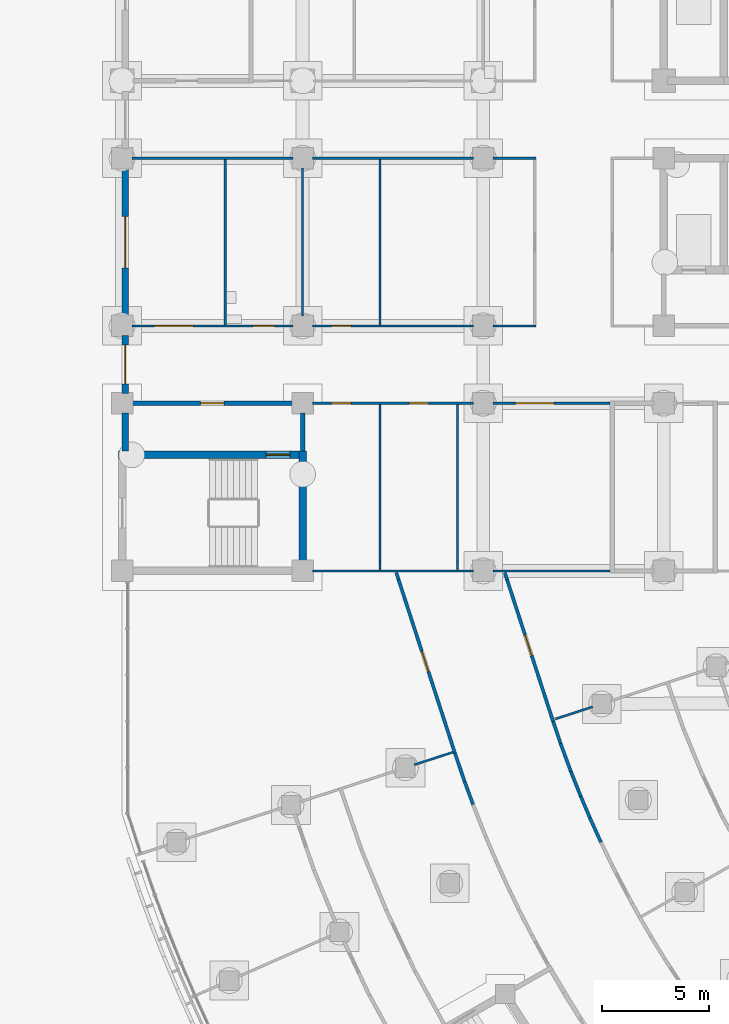
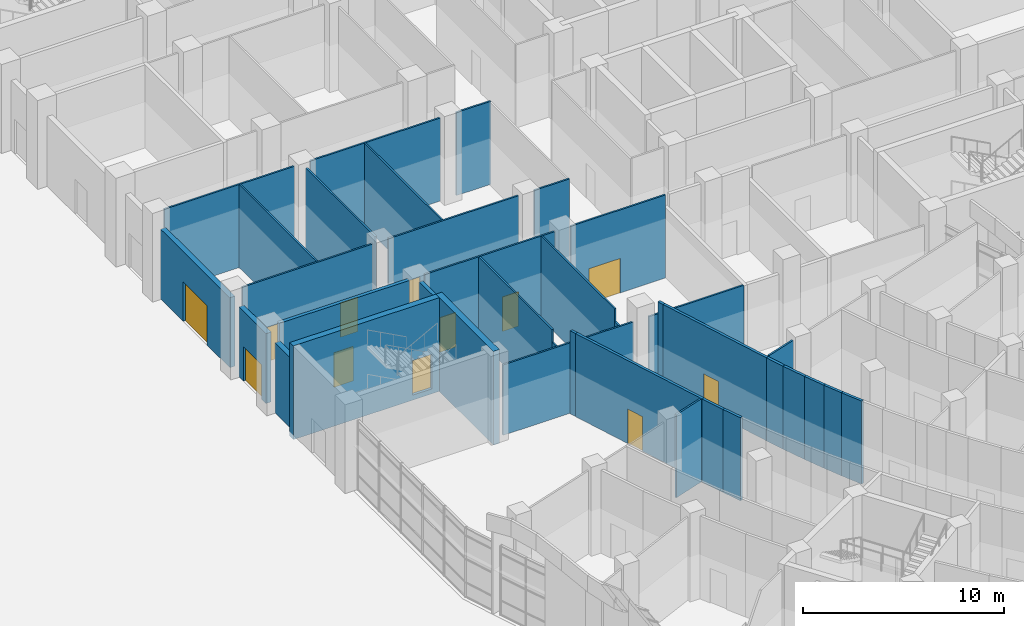
# One storey, part 65 of 146: 37 walls, 12 doors, 12 openings.
"""IFC4 building model written with IfcOpenShell, lengths in metres."""

from ifc_helpers import new_model, si_unit, direction, frame, frame_2d, origin, place, context, subcontext, project, spatial, rectangle, extrude, material, layer, layer_set, type_object, element, fill, save


model = new_model("IFC4")

# Units and contexts
model_context = context("Model", 3, precision=1e-05, world=origin(), true_north=direction((0.0, 1.0)))
body_context = subcontext(model_context, "Body", "Model", "MODEL_VIEW")
ifc_project = project(units=[si_unit("LENGTHUNIT", "METRE"), si_unit("AREAUNIT", "SQUARE_METRE"), si_unit("VOLUMEUNIT", "CUBIC_METRE"), si_unit("PLANEANGLEUNIT", "RADIAN"), si_unit("MASSUNIT", "GRAM", prefix="KILO")], contexts=[model_context])

# Site, building, storey
site_placement = place(None, origin())
site = spatial("IfcSite", under=ifc_project, at=site_placement, CompositionType="ELEMENT")
building_placement = place(site_placement, origin())
building = spatial("IfcBuilding", under=site, at=building_placement, Name="Bougainvillea Quay General Hospital", CompositionType="ELEMENT")
storey_placement = place(building_placement, origin())
storey = spatial("IfcBuildingStorey", under=building, at=storey_placement, Name="L00", CompositionType="ELEMENT", Elevation=0.0)

# Wall, opening, door
ifc_material_1 = material(Name="Pale stone rainscreen cladding on insulated masonry backing, pale stone", Category="masonry")
ifc_layer_1 = layer(ifc_material_1, 0.300048828125)
ifc_layer_set_1 = layer_set([ifc_layer_1], Name="Pale stone rainscreen cladding on insulated masonry backing, pale stone")
wall_type_1 = type_object("IfcWallType", Name="External wall pale stone rainscreen 300", PredefinedType="STANDARD", material=ifc_layer_set_1)
wall_1_placement = place(storey_placement, frame((42.14990234375, 136.35009765625, 0.0), z_axis=(0.0, 0.0, 1.0), x_axis=(0.0, -1.0, 0.0)))
wall_1 = element("IfcWall", 1, at=wall_1_placement, inside=storey, type_object=wall_type_1, Name="External wall wall/V4/L00/p0/02e", PredefinedType="STANDARD", context=body_context, shape_type="SweptSolid", body=[
    extrude(rectangle(XDim=6.900146484375, YDim=0.300048828125, at=frame_2d((3.4501953125, 0.0))), origin(), (0.0, 0.0, 1.0), 4.25),
])
opening_1_placement = place(wall_1_placement, frame((2.25, 0.0, 0.0)))
opening_1 = element("IfcOpeningElement", 2, at=opening_1_placement, cuts=wall_1, Name="Opening L00.358", PredefinedType="OPENING", context=body_context, shape_type="SweptSolid", body=[
    extrude(rectangle(XDim=2.39990234375, YDim=2.39990234375, at=frame_2d((1.199951171875, 1.199951171875))), frame((0.0, 0.159912109375, 0.0), z_axis=(0.0, -1.0, 0.0), x_axis=(1.0, 0.0, 0.0)), (0.0, 0.0, 1.0), 0.320068359375),
])
ifc_material_2 = material(Name="Aluminium and toughened glass sliding door set, anodised", Category="aluminium")
door_type_1 = type_object("IfcDoorType", Name="Automatic sliding entrance door 2400x2400", OperationType="SLIDING_TO_LEFT", PredefinedType="DOOR", material=ifc_material_2)
door_1_placement = place(opening_1_placement, frame((2.39990234375, 0.0, 0.0), z_axis=(0.0, 0.0, 1.0), x_axis=(-1.0, 0.0, 0.0)))
door_1 = element("IfcDoor", 3, at=door_1_placement, inside=storey, type_object=door_type_1, Name="Diagnostic entrance", OperationType="SINGLE_SWING_LEFT", OverallHeight=2.39990234375, OverallWidth=2.39990234375, PredefinedType="DOOR", context=body_context, shape_type="SweptSolid", body=[
    extrude(rectangle(XDim=2.39990234375, YDim=2.39990234375, at=frame_2d((1.199951171875, 1.199951171875))), frame((0.0, 0.02490234375, 0.0), z_axis=(0.0, -1.0, 0.0), x_axis=(1.0, 0.0, 0.0)), (0.0, 0.0, 1.0), 0.050048828125),
])
fill(opening_1, door_1)

wall_2_placement = place(storey_placement, frame((42.14990234375, 128.550048828125, 0.0), z_axis=(0.0, 0.0, 1.0), x_axis=(0.0, -1.0, 0.0)))
wall_2 = element("IfcWall", 4, at=wall_2_placement, inside=storey, type_object=wall_type_1, Name="External wall wall/V4/L00/p0/02f", PredefinedType="STANDARD", context=body_context, shape_type="SweptSolid", body=[
    extrude(rectangle(XDim=2.699951171875, YDim=0.300048828125, at=frame_2d((1.35009765625, 0.0))), origin(), (0.0, 0.0, 1.0), 4.25),
])
opening_2_placement = place(wall_2_placement, frame((0.449951171875, 0.0, 0.0)))
opening_2 = element("IfcOpeningElement", 5, at=opening_2_placement, cuts=wall_2, Name="Opening L00.327", PredefinedType="OPENING", context=body_context, shape_type="SweptSolid", body=[
    extrude(rectangle(XDim=1.800048828125, YDim=2.10009765625, at=frame_2d((0.89990234375, 1.050048828125))), frame((0.0, 0.159912109375, 0.0), z_axis=(0.0, -1.0, 0.0), x_axis=(1.0, 0.0, 0.0)), (0.0, 0.0, 1.0), 0.320068359375),
])
ifc_material_3 = material(Name="Steel door set, painted, with vision panels", Category="steel")
door_type_2 = type_object("IfcDoorType", Name="Escape door 1800x2100", OperationType="DOUBLE_DOOR_SINGLE_SWING", PredefinedType="DOOR", material=ifc_material_3)
door_2_placement = place(opening_2_placement, frame((1.800048828125, 0.0, 0.0), z_axis=(0.0, 0.0, 1.0), x_axis=(-1.0, 0.0, 0.0)))
door_2 = element("IfcDoor", 6, at=door_2_placement, inside=storey, type_object=door_type_2, Name="Escape door 3", OperationType="SINGLE_SWING_LEFT", OverallHeight=2.10009765625, OverallWidth=1.800048828125, PredefinedType="DOOR", context=body_context, shape_type="SweptSolid", body=[
    extrude(rectangle(XDim=1.800048828125, YDim=2.10009765625, at=frame_2d((0.89990234375, 1.050048828125))), frame((0.0, 0.02490234375, 0.0), z_axis=(0.0, -1.0, 0.0), x_axis=(1.0, 0.0, 0.0)), (0.0, 0.0, 1.0), 0.050048828125),
])
fill(opening_2, door_2)

# Walls
ifc_material_4 = material(Name="Terracotta rainscreen cladding on insulated masonry backing, terracotta", Category="masonry")
ifc_layer_2 = layer(ifc_material_4, 0.300048828125)
ifc_layer_set_2 = layer_set([ifc_layer_2], Name="Terracotta rainscreen cladding on insulated masonry backing, terracotta")
wall_type_2 = type_object("IfcWallType", Name="External wall terracotta rainscreen 300", PredefinedType="STANDARD", material=ifc_layer_set_2)
wall_3_placement = place(storey_placement, frame((42.14990234375, 124.949951171875, 0.0), z_axis=(0.0, 0.0, 1.0), x_axis=(0.0, -1.0, 0.0)))
element("IfcWall", 7, at=wall_3_placement, inside=storey, type_object=wall_type_2, Name="External wall wall/V4/L00/p0/02g", PredefinedType="STANDARD", context=body_context, shape_type="SweptSolid", body=[
    extrude(rectangle(XDim=1.77490234375, YDim=0.300048828125, at=frame_2d((0.887451171875, 0.0))), origin(), (0.0, 0.0, 1.0), 4.25),
])
ifc_material_5 = material(Name="Gypsum board partition on steel studs", Category="steel")
ifc_layer_3 = layer(ifc_material_5, 0.10009765625)
ifc_layer_set_3 = layer_set([ifc_layer_3], Name="Gypsum board partition on steel studs")
wall_type_3 = type_object("IfcWallType", Name="Partition 100 Gypsum board partition", PredefinedType="PARTITIONING", material=ifc_layer_set_3)
wall_4_placement = place(storey_placement, frame((61.25, 129.0, 0.0), z_axis=(0.0, 0.0, 1.0), x_axis=(-1.0, 0.0, 0.0)))
element("IfcWall", 8, at=wall_4_placement, inside=storey, type_object=wall_type_3, Name="Partition 100 mm", PredefinedType="PARTITIONING", context=body_context, shape_type="SweptSolid", body=[
    extrude(rectangle(XDim=2.0, YDim=0.10009765625, at=frame_2d((1.0, 0.0))), origin(), (0.0, 0.0, 1.0), 5.050048828125),
])

# Wall, opening, door
wall_5_placement = place(storey_placement, frame((58.35009765625, 129.0, 0.0), z_axis=(0.0, 0.0, 1.0), x_axis=(-1.0, 0.0, 0.0)))
wall_5 = element("IfcWall", 9, at=wall_5_placement, inside=storey, type_object=wall_type_3, Name="Partition 100 mm", PredefinedType="PARTITIONING", context=body_context, shape_type="SweptSolid", body=[
    extrude(rectangle(XDim=7.5, YDim=0.10009765625, at=frame_2d((3.75, 0.0))), origin(), (0.0, 0.0, 1.0), 5.050048828125),
])
opening_3_placement = place(wall_5_placement, frame((5.699951171875, 0.0, 0.0)))
opening_3 = element("IfcOpeningElement", 10, at=opening_3_placement, cuts=wall_5, Name="Opening L00.134", PredefinedType="OPENING", context=body_context, shape_type="SweptSolid", body=[
    extrude(rectangle(XDim=0.89990234375, YDim=2.10009765625, at=frame_2d((0.449951171875, 1.050048828125))), frame((0.0, 0.06005859375, 0.0), z_axis=(0.0, -1.0, 0.0), x_axis=(1.0, 0.0, 0.0)), (0.0, 0.0, 1.0), 0.1201171875),
])
ifc_material_6 = material(Name="Solid-core timber door leaf in steel frame", Category="steel")
door_type_3 = type_object("IfcDoorType", Name="Single leaf door 900x2100", OperationType="NOTDEFINED", PredefinedType="DOOR", material=ifc_material_6)
door_3_placement = place(opening_3_placement, frame((0.89990234375, 0.0, 0.0), z_axis=(0.0, 0.0, 1.0), x_axis=(-1.0, 0.0, 0.0)))
door_3 = element("IfcDoor", 11, at=door_3_placement, inside=storey, type_object=door_type_3, Name="DT07 L00.134", OperationType="SINGLE_SWING_LEFT", OverallHeight=2.10009765625, OverallWidth=0.89990234375, PredefinedType="DOOR", context=body_context, shape_type="SweptSolid", body=[
    extrude(rectangle(XDim=0.89990234375, YDim=2.10009765625, at=frame_2d((0.449951171875, 1.050048828125))), frame((0.0, 0.02490234375, 0.0), z_axis=(0.0, -1.0, 0.0), x_axis=(1.0, 0.0, 0.0)), (0.0, 0.0, 1.0), 0.050048828125),
])
fill(opening_3, door_3)

# Wall, openings, doors
wall_6_placement = place(storey_placement, frame((49.949951171875, 129.0, 0.0), z_axis=(0.0, 0.0, 1.0), x_axis=(-1.0, 0.0, 0.0)))
wall_6 = element("IfcWall", 12, at=wall_6_placement, inside=storey, type_object=wall_type_3, Name="Partition 100 mm", PredefinedType="PARTITIONING", context=body_context, shape_type="SweptSolid", body=[
    extrude(rectangle(XDim=7.5, YDim=0.10009765625, at=frame_2d((3.75, 0.0))), origin(), (0.0, 0.0, 1.0), 5.050048828125),
])
opening_4_placement = place(wall_6_placement, frame((4.64990234375, 0.0, 0.0)))
opening_4 = element("IfcOpeningElement", 13, at=opening_4_placement, cuts=wall_6, Name="Opening L00.132", PredefinedType="OPENING", context=body_context, shape_type="SweptSolid", body=[
    extrude(rectangle(XDim=1.800048828125, YDim=2.10009765625, at=frame_2d((0.89990234375, 1.050048828125))), frame((0.0, 0.06005859375, 0.0), z_axis=(0.0, -1.0, 0.0), x_axis=(1.0, 0.0, 0.0)), (0.0, 0.0, 1.0), 0.1201171875),
])
opening_5_placement = place(wall_6_placement, frame((0.85009765625, 0.0, 0.0)))
opening_5 = element("IfcOpeningElement", 14, at=opening_5_placement, cuts=wall_6, Name="Opening L00.133", PredefinedType="OPENING", context=body_context, shape_type="SweptSolid", body=[
    extrude(rectangle(XDim=1.0, YDim=2.10009765625, at=frame_2d((0.5, 1.050048828125))), frame((0.0, 0.06005859375, 0.0), z_axis=(0.0, -1.0, 0.0), x_axis=(1.0, 0.0, 0.0)), (0.0, 0.0, 1.0), 0.1201171875),
])
ifc_material_7 = material(Name="Solid-core timber door leaves in steel frame", Category="steel")
door_type_4 = type_object("IfcDoorType", Name="Double leaf door 1800x2100", OperationType="DOUBLE_DOOR_SINGLE_SWING", PredefinedType="DOOR", material=ifc_material_7)
door_4_placement = place(opening_4_placement, frame((1.800048828125, 0.0, 0.0), z_axis=(0.0, 0.0, 1.0), x_axis=(-1.0, 0.0, 0.0)))
door_4 = element("IfcDoor", 15, at=door_4_placement, inside=storey, type_object=door_type_4, Name="DT08 L00.132", OperationType="DOUBLE_DOOR_SINGLE_SWING", OverallHeight=2.10009765625, OverallWidth=1.800048828125, PredefinedType="DOOR", context=body_context, shape_type="SweptSolid", body=[
    extrude(rectangle(XDim=1.800048828125, YDim=2.10009765625, at=frame_2d((0.89990234375, 1.050048828125))), frame((0.0, 0.02490234375, 0.0), z_axis=(0.0, -1.0, 0.0), x_axis=(1.0, 0.0, 0.0)), (0.0, 0.0, 1.0), 0.050048828125),
])
fill(opening_4, door_4)
door_type_5 = type_object("IfcDoorType", Name="Single leaf door 1000x2100", OperationType="NOTDEFINED", PredefinedType="DOOR", material=ifc_material_6)
door_5_placement = place(opening_5_placement, frame((1.0, 0.0, 0.0), z_axis=(0.0, 0.0, 1.0), x_axis=(-1.0, 0.0, 0.0)))
door_5 = element("IfcDoor", 16, at=door_5_placement, inside=storey, type_object=door_type_5, Name="DT06 L00.133", OperationType="SINGLE_SWING_RIGHT", OverallHeight=2.10009765625, OverallWidth=1.0, PredefinedType="DOOR", context=body_context, shape_type="SweptSolid", body=[
    extrude(rectangle(XDim=1.0, YDim=2.10009765625, at=frame_2d((0.5, 1.050048828125))), frame((0.0, 0.02490234375, 0.0), z_axis=(0.0, -1.0, 0.0), x_axis=(1.0, 0.0, 0.0)), (0.0, 0.0, 1.0), 0.050048828125),
])
fill(opening_5, door_5)

# Walls
wall_7_placement = place(storey_placement, frame((61.25, 136.800048828125, 0.0), z_axis=(0.0, 0.0, 1.0), x_axis=(-1.0, 0.0, 0.0)))
element("IfcWall", 17, at=wall_7_placement, inside=storey, type_object=wall_type_3, Name="Partition 100 mm", PredefinedType="PARTITIONING", context=body_context, shape_type="SweptSolid", body=[
    extrude(rectangle(XDim=2.0, YDim=0.10009765625, at=frame_2d((1.0, 0.0))), origin(), (0.0, 0.0, 1.0), 5.050048828125),
])
for number, where, z_axis, x_axis, name in (
    (18, (58.35009765625, 136.800048828125, 0.0), (0.0, 0.0, 1.0), (-1.0, 0.0, 0.0), "Partition 100 mm"),
    (19, (49.949951171875, 136.800048828125, 0.0), (0.0, 0.0, 1.0), (-1.0, 0.0, 0.0), "Partition 100 mm"),
):
    element("IfcWall", number, at=place(storey_placement, frame(where, z_axis=z_axis, x_axis=x_axis)), inside=storey, type_object=wall_type_3, Name=name, PredefinedType="PARTITIONING", context=body_context, shape_type="SweptSolid", body=[
        extrude(rectangle(XDim=7.5, YDim=0.10009765625, at=frame_2d((3.75, 0.0))), origin(), (0.0, 0.0, 1.0), 5.050048828125),
    ])
wall_8_placement = place(storey_placement, frame((64.697998046875, 117.597900390625, 0.0), z_axis=(0.0, 0.0, 1.0), x_axis=(-0.999999983934, 0.000179251622, 0.0)))
element("IfcWall", 20, at=wall_8_placement, inside=storey, type_object=wall_type_3, Name="Partition 100 mm", PredefinedType="PARTITIONING", context=body_context, shape_type="SweptSolid", body=[
    extrude(rectangle(XDim=5.447998046875, YDim=0.10009765625, at=frame_2d((2.72412109375, 0.0))), origin(), (0.0, 0.0, 1.0), 4.280029296875),
])
wall_9_placement = place(storey_placement, frame((58.35009765625, 117.598876953125, 0.0), z_axis=(0.0, 0.0, 1.0), x_axis=(-0.999999991523, 0.000130208332, 0.0)))
element("IfcWall", 21, at=wall_9_placement, inside=storey, type_object=wall_type_3, Name="Partition 100 mm", PredefinedType="PARTITIONING", context=body_context, shape_type="SweptSolid", body=[
    extrude(rectangle(XDim=7.5, YDim=0.10009765625, at=frame_2d((3.75, 0.0))), origin(), (0.0, 0.0, 1.0), 4.280029296875),
])

# Wall, opening, door
wall_10_placement = place(storey_placement, frame((64.697998046875, 125.39990234375, 0.0), z_axis=(0.0, 0.0, 1.0), x_axis=(-1.0, 0.0, 0.0)))
wall_10 = element("IfcWall", 22, at=wall_10_placement, inside=storey, type_object=wall_type_3, Name="Partition 100 mm", PredefinedType="PARTITIONING", context=body_context, shape_type="SweptSolid", body=[
    extrude(rectangle(XDim=5.447998046875, YDim=0.10009765625, at=frame_2d((2.72412109375, 0.0))), origin(), (0.0, 0.0, 1.0), 5.050048828125),
])
opening_6_placement = place(wall_10_placement, frame((2.60009765625, 0.0, 0.0)))
opening_6 = element("IfcOpeningElement", 23, at=opening_6_placement, cuts=wall_10, Name="Opening L00.129", PredefinedType="OPENING", context=body_context, shape_type="SweptSolid", body=[
    extrude(rectangle(XDim=1.800048828125, YDim=2.10009765625, at=frame_2d((0.89990234375, 1.050048828125))), frame((0.0, 0.06005859375, 0.0), z_axis=(0.0, -1.0, 0.0), x_axis=(1.0, 0.0, 0.0)), (0.0, 0.0, 1.0), 0.1201171875),
])
door_6_placement = place(opening_6_placement, origin())
door_6 = element("IfcDoor", 24, at=door_6_placement, inside=storey, type_object=door_type_4, Name="DT08 L00.129", OperationType="DOUBLE_DOOR_SINGLE_SWING", OverallHeight=2.10009765625, OverallWidth=1.800048828125, PredefinedType="DOOR", context=body_context, shape_type="SweptSolid", body=[
    extrude(rectangle(XDim=1.800048828125, YDim=2.10009765625, at=frame_2d((0.89990234375, 1.050048828125))), frame((0.0, 0.02490234375, 0.0), z_axis=(0.0, -1.0, 0.0), x_axis=(1.0, 0.0, 0.0)), (0.0, 0.0, 1.0), 0.050048828125),
])
fill(opening_6, door_6)

# Wall, openings, doors
wall_11_placement = place(storey_placement, frame((58.35009765625, 125.39990234375, 0.0), z_axis=(0.0, 0.0, 1.0), x_axis=(-1.0, 0.0, 0.0)))
wall_11 = element("IfcWall", 25, at=wall_11_placement, inside=storey, type_object=wall_type_3, Name="Partition 100 mm", PredefinedType="PARTITIONING", context=body_context, shape_type="SweptSolid", body=[
    extrude(rectangle(XDim=7.5, YDim=0.10009765625, at=frame_2d((3.75, 0.0))), origin(), (0.0, 0.0, 1.0), 5.050048828125),
])
opening_7_placement = place(wall_11_placement, frame((5.700927734375, 0.0, 0.0)))
opening_7 = element("IfcOpeningElement", 26, at=opening_7_placement, cuts=wall_11, Name="Opening L00.127", PredefinedType="OPENING", context=body_context, shape_type="SweptSolid", body=[
    extrude(rectangle(XDim=0.89990234375, YDim=2.10009765625, at=frame_2d((0.449951171875, 1.050048828125))), frame((0.0, 0.06005859375, 0.0), z_axis=(0.0, -1.0, 0.0), x_axis=(1.0, 0.0, 0.0)), (0.0, 0.0, 1.0), 0.1201171875),
])
opening_8_placement = place(wall_11_placement, frame((2.10205078125, 0.0, 0.0)))
opening_8 = element("IfcOpeningElement", 27, at=opening_8_placement, cuts=wall_11, Name="Opening L00.128", PredefinedType="OPENING", context=body_context, shape_type="SweptSolid", body=[
    extrude(rectangle(XDim=0.89990234375, YDim=2.10009765625, at=frame_2d((0.449951171875, 1.050048828125))), frame((0.0, 0.06005859375, 0.0), z_axis=(0.0, -1.0, 0.0), x_axis=(1.0, 0.0, 0.0)), (0.0, 0.0, 1.0), 0.1201171875),
])
door_7_placement = place(opening_7_placement, origin())
door_7 = element("IfcDoor", 28, at=door_7_placement, inside=storey, type_object=door_type_3, Name="DT07 L00.127", OperationType="SINGLE_SWING_RIGHT", OverallHeight=2.10009765625, OverallWidth=0.89990234375, PredefinedType="DOOR", context=body_context, shape_type="SweptSolid", body=[
    extrude(rectangle(XDim=0.89990234375, YDim=2.10009765625, at=frame_2d((0.449951171875, 1.050048828125))), frame((0.0, 0.02490234375, 0.0), z_axis=(0.0, -1.0, 0.0), x_axis=(1.0, 0.0, 0.0)), (0.0, 0.0, 1.0), 0.050048828125),
])
fill(opening_7, door_7)
door_8_placement = place(opening_8_placement, origin())
door_8 = element("IfcDoor", 29, at=door_8_placement, inside=storey, type_object=door_type_3, Name="DT07 L00.128", OperationType="SINGLE_SWING_LEFT", OverallHeight=2.10009765625, OverallWidth=0.89990234375, PredefinedType="DOOR", context=body_context, shape_type="SweptSolid", body=[
    extrude(rectangle(XDim=0.89990234375, YDim=2.10009765625, at=frame_2d((0.449951171875, 1.050048828125))), frame((0.0, 0.02490234375, 0.0), z_axis=(0.0, -1.0, 0.0), x_axis=(1.0, 0.0, 0.0)), (0.0, 0.0, 1.0), 0.050048828125),
])
fill(opening_8, door_8)

# Walls
wall_12_placement = place(storey_placement, frame((53.998046875, 117.6494140625, 0.0), z_axis=(0.0, 0.0, 1.0), x_axis=(0.0, 1.0, 0.0)))
element("IfcWall", 30, at=wall_12_placement, inside=storey, type_object=wall_type_3, Name="Partition 100 mm", PredefinedType="PARTITIONING", context=body_context, shape_type="SweptSolid", body=[
    extrude(rectangle(XDim=0.400634765625, YDim=0.10009765625, at=frame_2d((0.2001953125, 0.0))), origin(), (0.0, 0.0, 1.0), 4.280029296875),
])
wall_13_placement = place(storey_placement, frame((53.998046875, 118.050048828125, 0.0), z_axis=(0.0, 0.0, 1.0), x_axis=(0.0, 1.0, 0.0)))
element("IfcWall", 31, at=wall_13_placement, inside=storey, type_object=wall_type_3, Name="Partition 100 mm", PredefinedType="PARTITIONING", context=body_context, shape_type="SweptSolid", body=[
    extrude(rectangle(XDim=7.300048828125, YDim=0.10009765625, at=frame_2d((3.64990234375, 0.0))), origin(), (0.0, 0.0, 1.0), 5.050048828125),
])
wall_14_placement = place(storey_placement, frame((57.597900390625, 117.64892578125, 0.0), z_axis=(0.0, 0.0, 1.0), x_axis=(0.0, 1.0, 0.0)))
element("IfcWall", 32, at=wall_14_placement, inside=storey, type_object=wall_type_3, Name="Partition 100 mm", PredefinedType="PARTITIONING", context=body_context, shape_type="SweptSolid", body=[
    extrude(rectangle(XDim=0.401123046875, YDim=0.10009765625, at=frame_2d((0.20068359375, 0.0))), origin(), (0.0, 0.0, 1.0), 4.280029296875),
])
wall_15_placement = place(storey_placement, frame((57.597900390625, 118.050048828125, 0.0), z_axis=(0.0, 0.0, 1.0), x_axis=(0.0, 1.0, 0.0)))
element("IfcWall", 33, at=wall_15_placement, inside=storey, type_object=wall_type_3, Name="Partition 100 mm", PredefinedType="PARTITIONING", context=body_context, shape_type="SweptSolid", body=[
    extrude(rectangle(XDim=7.300048828125, YDim=0.10009765625, at=frame_2d((3.64990234375, 0.0))), origin(), (0.0, 0.0, 1.0), 5.050048828125),
])
wall_16_placement = place(storey_placement, frame((46.800048828125, 129.050048828125, 0.0), z_axis=(0.0, 0.0, 1.0), x_axis=(0.0, 1.0, 0.0)))
element("IfcWall", 34, at=wall_16_placement, inside=storey, type_object=wall_type_3, Name="Partition 100 mm", PredefinedType="PARTITIONING", context=body_context, shape_type="SweptSolid", body=[
    extrude(rectangle(XDim=7.699951171875, YDim=0.10009765625, at=frame_2d((3.85009765625, 0.0))), origin(), (0.0, 0.0, 1.0), 5.050048828125),
])
wall_17_placement = place(storey_placement, frame((50.39990234375, 129.449951171875, 0.0), z_axis=(0.0, 0.0, 1.0), x_axis=(0.0, 1.0, 0.0)))
element("IfcWall", 35, at=wall_17_placement, inside=storey, type_object=wall_type_3, Name="Partition 100 mm", PredefinedType="PARTITIONING", context=body_context, shape_type="SweptSolid", body=[
    extrude(rectangle(XDim=6.900146484375, YDim=0.10009765625, at=frame_2d((3.4501953125, 0.0))), origin(), (0.0, 0.0, 1.0), 5.050048828125),
])
wall_18_placement = place(storey_placement, frame((54.0, 129.050048828125, 0.0), z_axis=(0.0, 0.0, 1.0), x_axis=(0.0, 1.0, 0.0)))
element("IfcWall", 36, at=wall_18_placement, inside=storey, type_object=wall_type_3, Name="Partition 100 mm", PredefinedType="PARTITIONING", context=body_context, shape_type="SweptSolid", body=[
    extrude(rectangle(XDim=7.699951171875, YDim=0.10009765625, at=frame_2d((3.85009765625, 0.0))), origin(), (0.0, 0.0, 1.0), 5.050048828125),
])
ifc_layer_4 = layer(ifc_material_5, 0.10009765625)
ifc_layer_set_4 = layer_set([ifc_layer_4], Name="Gypsum board partition on steel studs")
wall_type_4 = type_object("IfcWallType", Name="Partition 100 Gypsum board partition EI 30", PredefinedType="PARTITIONING", material=ifc_layer_set_4)
wall_19_placement = place(storey_placement, frame((55.59619140625, 108.58251953125, 0.0), z_axis=(0.0, 0.0, 1.0), x_axis=(0.951087292219, 0.308922259768, 0.0)))
element("IfcWall", 37, at=wall_19_placement, inside=storey, type_object=wall_type_4, Name="Partition 100 mm EI 30", PredefinedType="PARTITIONING", context=body_context, shape_type="SweptSolid", body=[
    extrude(rectangle(XDim=1.88720703125, YDim=0.10009765625, at=frame_2d((0.943603515625, 0.0))), origin(), (0.0, 0.0, 1.0), 5.050048828125),
])
wall_20_placement = place(storey_placement, frame((62.159423828125, 110.7158203125, 0.0), z_axis=(0.0, 0.0, 1.0), x_axis=(0.951101847275, 0.308877445129, 0.0)))
element("IfcWall", 38, at=wall_20_placement, inside=storey, type_object=wall_type_4, Name="Partition 100 mm EI 30", PredefinedType="PARTITIONING", context=body_context, shape_type="SweptSolid", body=[
    extrude(rectangle(XDim=1.825927734375, YDim=0.10009765625, at=frame_2d((0.9130859375, 0.0))), origin(), (0.0, 0.0, 1.0), 5.050048828125),
])
ifc_material_8 = material(Name="Gypsum board partition on steel studs, insulated", Category="steel")
ifc_layer_5 = layer(ifc_material_8, 0.14990234375)
ifc_layer_set_5 = layer_set([ifc_layer_5], Name="Gypsum board partition on steel studs, insulated")
wall_type_5 = type_object("IfcWallType", Name="Partition 150 Gypsum board partition EI 30", PredefinedType="PARTITIONING", material=ifc_layer_set_5)
wall_21_placement = place(storey_placement, frame((54.75390625, 117.526611328125, 0.0), z_axis=(0.0, 0.0, 1.0), x_axis=(0.309101849499, -0.951028941009, 0.0)))
element("IfcWall", 39, at=wall_21_placement, inside=storey, type_object=wall_type_5, Name="Partition 150 mm EI 30", PredefinedType="PARTITIONING", context=body_context, shape_type="SweptSolid", body=[
    extrude(rectangle(XDim=0.349853515625, YDim=0.14990234375, at=frame_2d((0.1748046875, 0.0))), origin(), (0.0, 0.0, 1.0), 5.050048828125),
])

# Wall, opening, door
wall_22_placement = place(storey_placement, frame((54.862060546875, 117.19384765625, 0.0), z_axis=(0.0, 0.0, 1.0), x_axis=(0.30900806035, -0.951059419089, 0.0)))
wall_22 = element("IfcWall", 40, at=wall_22_placement, inside=storey, type_object=wall_type_5, Name="Partition 150 mm EI 30", PredefinedType="PARTITIONING", context=body_context, shape_type="SweptSolid", body=[
    extrude(rectangle(XDim=8.49169921875, YDim=0.14990234375, at=frame_2d((4.245849609375, 0.0))), origin(), (0.0, 0.0, 1.0), 5.050048828125),
])
opening_9_placement = place(wall_22_placement, frame((3.494873046875, 0.0, 0.0)))
opening_9 = element("IfcOpeningElement", 41, at=opening_9_placement, cuts=wall_22, Name="Opening L00.254", PredefinedType="OPENING", context=body_context, shape_type="SweptSolid", body=[
    extrude(rectangle(XDim=1.0, YDim=2.10009765625, at=frame_2d((0.5, 1.050048828125))), frame((0.0, 0.0849609375, 0.0), z_axis=(0.0, -1.0, 0.0), x_axis=(1.0, 0.0, 0.0)), (0.0, 0.0, 1.0), 0.169921875),
])
door_type_6 = type_object("IfcDoorType", Name="Single leaf door 1000x2100 FD30S", OperationType="NOTDEFINED", PredefinedType="DOOR", material=ifc_material_6)
door_9_placement = place(opening_9_placement, frame((1.0, 0.0, 0.0), z_axis=(0.0, 0.0, 1.0), x_axis=(-1.0, 0.0, 0.0)))
door_9 = element("IfcDoor", 42, at=door_9_placement, inside=storey, type_object=door_type_6, Name="DT15 L00.254", OperationType="SINGLE_SWING_RIGHT", OverallHeight=2.10009765625, OverallWidth=1.0, PredefinedType="DOOR", context=body_context, shape_type="SweptSolid", body=[
    extrude(rectangle(XDim=1.0, YDim=2.10009765625, at=frame_2d((0.5, 1.050048828125))), frame((0.0, 0.02490234375, 0.0), z_axis=(0.0, -1.0, 0.0), x_axis=(1.0, 0.0, 0.0)), (0.0, 0.0, 1.0), 0.050048828125),
])
fill(opening_9, door_9)

# Wall
wall_23_placement = place(storey_placement, frame((59.801025390625, 117.52587890625, 0.0), z_axis=(0.0, 0.0, 1.0), x_axis=(0.309101849499, -0.951028941009, 0.0)))
element("IfcWall", 43, at=wall_23_placement, inside=storey, type_object=wall_type_5, Name="Partition 150 mm EI 30", PredefinedType="PARTITIONING", context=body_context, shape_type="SweptSolid", body=[
    extrude(rectangle(XDim=0.349853515625, YDim=0.14990234375, at=frame_2d((0.1748046875, 0.0))), origin(), (0.0, 0.0, 1.0), 5.050048828125),
])

# Wall, opening, door
wall_24_placement = place(storey_placement, frame((59.9091796875, 117.193115234375, 0.0), z_axis=(0.0, 0.0, 1.0), x_axis=(0.309074920995, -0.951037692845, 0.0)))
wall_24 = element("IfcWall", 44, at=wall_24_placement, inside=storey, type_object=wall_type_5, Name="Partition 150 mm EI 30", PredefinedType="PARTITIONING", context=body_context, shape_type="SweptSolid", body=[
    extrude(rectangle(XDim=6.9306640625, YDim=0.14990234375, at=frame_2d((3.46533203125, 0.0))), origin(), (0.0, 0.0, 1.0), 5.050048828125),
])
opening_10_placement = place(wall_24_placement, frame((2.7138671875, 0.0, 0.0)))
opening_10 = element("IfcOpeningElement", 45, at=opening_10_placement, cuts=wall_24, Name="Opening L00.265", PredefinedType="OPENING", context=body_context, shape_type="SweptSolid", body=[
    extrude(rectangle(XDim=1.0, YDim=2.10009765625, at=frame_2d((0.5, 1.050048828125))), frame((0.0, 0.0849609375, 0.0), z_axis=(0.0, -1.0, 0.0), x_axis=(1.0, 0.0, 0.0)), (0.0, 0.0, 1.0), 0.169921875),
])
door_10_placement = place(opening_10_placement, origin())
door_10 = element("IfcDoor", 46, at=door_10_placement, inside=storey, type_object=door_type_6, Name="DT15 L00.265", OperationType="SINGLE_SWING_LEFT", OverallHeight=2.10009765625, OverallWidth=1.0, PredefinedType="DOOR", context=body_context, shape_type="SweptSolid", body=[
    extrude(rectangle(XDim=1.0, YDim=2.10009765625, at=frame_2d((0.5, 1.050048828125))), frame((0.0, 0.02490234375, 0.0), z_axis=(0.0, -1.0, 0.0), x_axis=(1.0, 0.0, 0.0)), (0.0, 0.0, 1.0), 0.050048828125),
])
fill(opening_10, door_10)

# Walls
wall_25_placement = place(storey_placement, frame((57.4873046875, 109.1171875, 0.0), z_axis=(0.0, 0.0, 1.0), x_axis=(0.321098351659, -0.947045853463, 0.0)))
element("IfcWall", 47, at=wall_25_placement, inside=storey, type_object=wall_type_5, Name="Partition 150 mm EI 30", PredefinedType="PARTITIONING", context=body_context, shape_type="SweptSolid", body=[
    extrude(rectangle(XDim=1.38232421875, YDim=0.14990234375, at=frame_2d((0.691162109375, 0.0))), origin(), (0.0, 0.0, 1.0), 5.050048828125),
])
wall_26_placement = place(storey_placement, frame((57.93212890625, 107.810302734375, 0.0), z_axis=(0.0, 0.0, 1.0), x_axis=(0.344530098651, -0.938775271896, 0.0)))
element("IfcWall", 48, at=wall_26_placement, inside=storey, type_object=wall_type_5, Name="Partition 150 mm EI 30", PredefinedType="PARTITIONING", context=body_context, shape_type="SweptSolid", body=[
    extrude(rectangle(XDim=1.145751953125, YDim=0.14990234375, at=frame_2d((0.57275390625, 0.0))), origin(), (0.0, 0.0, 1.0), 5.050048828125),
])
wall_27_placement = place(storey_placement, frame((62.400146484375, 109.568359375, 0.0), z_axis=(0.0, 0.0, 1.0), x_axis=(0.344492078755, -0.938789224307, 0.0)))
element("IfcWall", 49, at=wall_27_placement, inside=storey, type_object=wall_type_5, Name="Partition 150 mm EI 30", PredefinedType="PARTITIONING", context=body_context, shape_type="SweptSolid", body=[
    extrude(rectangle(XDim=1.3896484375, YDim=0.14990234375, at=frame_2d((0.69482421875, 0.0))), origin(), (0.0, 0.0, 1.0), 5.050048828125),
])
for number, where, z_axis, x_axis, name in (
    (50, (63.762939453125, 106.1103515625, 0.0), (0.0, 0.0, 1.0), (0.413936344261, -0.910305829323, 0.0), "Partition 150 mm EI 30"),
    (51, (62.8798828125, 108.26611328125, 0.0), (0.0, 0.0, 1.0), (0.368098059635, -0.929786974792, 0.0), "Partition 150 mm EI 30"),
):
    element("IfcWall", number, at=place(storey_placement, frame(where, z_axis=z_axis, x_axis=x_axis)), inside=storey, type_object=wall_type_5, Name=name, PredefinedType="PARTITIONING", context=body_context, shape_type="SweptSolid", body=[
        extrude(rectangle(XDim=1.240966796875, YDim=0.14990234375, at=frame_2d((0.62060546875, 0.0))), origin(), (0.0, 0.0, 1.0), 5.050048828125),
    ])
wall_28_placement = place(storey_placement, frame((63.337646484375, 107.11474609375, 0.0), z_axis=(0.0, 0.0, 1.0), x_axis=(0.39149075642, -0.920182040489, 0.0)))
element("IfcWall", 52, at=wall_28_placement, inside=storey, type_object=wall_type_5, Name="Partition 150 mm EI 30", PredefinedType="PARTITIONING", context=body_context, shape_type="SweptSolid", body=[
    extrude(rectangle(XDim=1.092529296875, YDim=0.14990234375, at=frame_2d((0.54638671875, 0.0))), origin(), (0.0, 0.0, 1.0), 5.050048828125),
])
wall_29_placement = place(storey_placement, frame((62.052001953125, 110.60107421875, 0.0), z_axis=(0.0, 0.0, 1.0), x_axis=(0.32118888939, -0.947015151585, 0.0)))
element("IfcWall", 53, at=wall_29_placement, inside=storey, type_object=wall_type_5, Name="Partition 150 mm EI 30", PredefinedType="PARTITIONING", context=body_context, shape_type="SweptSolid", body=[
    extrude(rectangle(XDim=1.091552734375, YDim=0.14990234375, at=frame_2d((0.5458984375, 0.0))), origin(), (0.0, 0.0, 1.0), 5.050048828125),
])

# Wall, opening, door
ifc_material_9 = material(Name="Fire-rated autoclaved aerated block wall, plastered")
ifc_layer_6 = layer(ifc_material_9, 0.199951171875)
ifc_layer_set_6 = layer_set([ifc_layer_6], Name="Fire-rated autoclaved aerated block wall, plastered")
wall_type_6 = type_object("IfcWallType", Name="Partition 200 Fire-rated autoclaved aerated block wall EI 120", PredefinedType="SOLIDWALL", material=ifc_layer_set_6)
wall_30_placement = place(storey_placement, frame((42.449951171875, 125.39990234375, 0.0), z_axis=(0.0, 0.0, 1.0), x_axis=(1.0, 0.0, 0.0)))
wall_30 = element("IfcWall", 54, at=wall_30_placement, inside=storey, type_object=wall_type_6, Name="Partition 200 mm EI 120", PredefinedType="SOLIDWALL", context=body_context, shape_type="SweptSolid", body=[
    extrude(rectangle(XDim=7.5, YDim=0.199951171875, at=frame_2d((3.75, 0.0))), origin(), (0.0, 0.0, 1.0), 5.050048828125),
])
opening_11_placement = place(wall_30_placement, frame((3.199951171875, 0.0, 0.0)))
opening_11 = element("IfcOpeningElement", 55, at=opening_11_placement, cuts=wall_30, Name="Opening L00.039", PredefinedType="OPENING", context=body_context, shape_type="SweptSolid", body=[
    extrude(rectangle(XDim=1.10009765625, YDim=2.10009765625, at=frame_2d((0.550048828125, 1.050048828125))), frame((0.0, 0.10986328125, 0.0), z_axis=(0.0, -1.0, 0.0), x_axis=(1.0, 0.0, 0.0)), (0.0, 0.0, 1.0), 0.219970703125),
])
ifc_material_10 = material(Name="Steel fire door leaf in steel frame", Category="steel")
door_type_7 = type_object("IfcDoorType", Name="Steel single leaf door 1100x2100 FD60", OperationType="NOTDEFINED", PredefinedType="DOOR", material=ifc_material_10)
door_11_placement = place(opening_11_placement, frame((1.10009765625, 0.0, 0.0), z_axis=(0.0, 0.0, 1.0), x_axis=(-1.0, 0.0, 0.0)))
door_11 = element("IfcDoor", 56, at=door_11_placement, inside=storey, type_object=door_type_7, Name="DT04 L00.039", OperationType="SINGLE_SWING_LEFT", OverallHeight=2.10009765625, OverallWidth=1.10009765625, PredefinedType="DOOR", context=body_context, shape_type="SweptSolid", body=[
    extrude(rectangle(XDim=1.10009765625, YDim=2.10009765625, at=frame_2d((0.550048828125, 1.050048828125))), frame((0.0, 0.02490234375, 0.0), z_axis=(0.0, -1.0, 0.0), x_axis=(1.0, 0.0, 0.0)), (0.0, 0.0, 1.0), 0.050048828125),
])
fill(opening_11, door_11)

# Wall
wall_31_placement = place(storey_placement, frame((50.39990234375, 123.175048828125, 0.0), z_axis=(0.0, 0.0, 1.0), x_axis=(0.0, 1.0, 0.0)))
element("IfcWall", 57, at=wall_31_placement, inside=storey, type_object=wall_type_6, Name="Partition 200 mm EI 120", PredefinedType="SOLIDWALL", context=body_context, shape_type="SweptSolid", body=[
    extrude(rectangle(XDim=1.77490234375, YDim=0.199951171875, at=frame_2d((0.887451171875, 0.0))), origin(), (0.0, 0.0, 1.0), 5.050048828125),
])

# Wall, opening, door
ifc_material_11 = material(Name="Concrete C40", Category="concrete")
ifc_layer_7 = layer(ifc_material_11, 0.35009765625)
ifc_layer_set_7 = layer_set([ifc_layer_7], Name="Concrete C40")
wall_type_7 = type_object("IfcWallType", Name="RC SHEAR WALL 350 C40", PredefinedType="SHEAR", material=ifc_layer_set_7)
wall_32_placement = place(storey_placement, frame((41.824951171875, 123.0, -0.300048828125), z_axis=(0.0, 0.0, 1.0), x_axis=(1.0, 0.0, 0.0)))
wall_32 = element("IfcWall", 58, at=wall_32_placement, inside=storey, type_object=wall_type_7, Name="Shear wall L00", PredefinedType="SHEAR", context=body_context, shape_type="SweptSolid", body=[
    extrude(rectangle(XDim=8.400146484375, YDim=0.35009765625, at=frame_2d((4.2001953125, 0.0))), origin(), (0.0, 0.0, 1.0), 5.699951171875),
])
opening_12_placement = place(wall_32_placement, frame((6.875, 0.0, 0.300048828125)))
opening_12 = element("IfcOpeningElement", 59, at=opening_12_placement, cuts=wall_32, Name="Opening L00.023", PredefinedType="OPENING", context=body_context, shape_type="SweptSolid", body=[
    extrude(rectangle(XDim=1.10009765625, YDim=2.10009765625, at=frame_2d((0.550048828125, 1.050048828125))), frame((0.0, 0.18505859375, 0.0), z_axis=(0.0, -1.0, 0.0), x_axis=(1.0, 0.0, 0.0)), (0.0, 0.0, 1.0), 0.3701171875),
])
door_12_placement = place(opening_12_placement, frame((1.10009765625, 0.0, 0.0), z_axis=(0.0, 0.0, 1.0), x_axis=(-1.0, 0.0, 0.0)))
door_12 = element("IfcDoor", 60, at=door_12_placement, inside=storey, type_object=door_type_7, Name="DT04 L00.023", OperationType="SINGLE_SWING_LEFT", OverallHeight=2.10009765625, OverallWidth=1.10009765625, PredefinedType="DOOR", context=body_context, shape_type="SweptSolid", body=[
    extrude(rectangle(XDim=1.10009765625, YDim=2.10009765625, at=frame_2d((0.550048828125, 1.050048828125))), frame((0.0, 0.02490234375, 0.0), z_axis=(0.0, -1.0, 0.0), x_axis=(1.0, 0.0, 0.0)), (0.0, 0.0, 1.0), 0.050048828125),
])
fill(opening_12, door_12)

# Wall
wall_33_placement = place(storey_placement, frame((50.39990234375, 117.425048828125, -0.300048828125), z_axis=(0.0, 0.0, 1.0), x_axis=(0.0, 1.0, 0.0)))
element("IfcWall", 61, at=wall_33_placement, inside=storey, type_object=wall_type_7, Name="Shear wall L00", PredefinedType="SHEAR", context=body_context, shape_type="SweptSolid", body=[
    extrude(rectangle(XDim=5.75, YDim=0.35009765625, at=frame_2d((2.875, 0.0))), origin(), (0.0, 0.0, 1.0), 5.699951171875),
])

save(model, "model.ifc")
